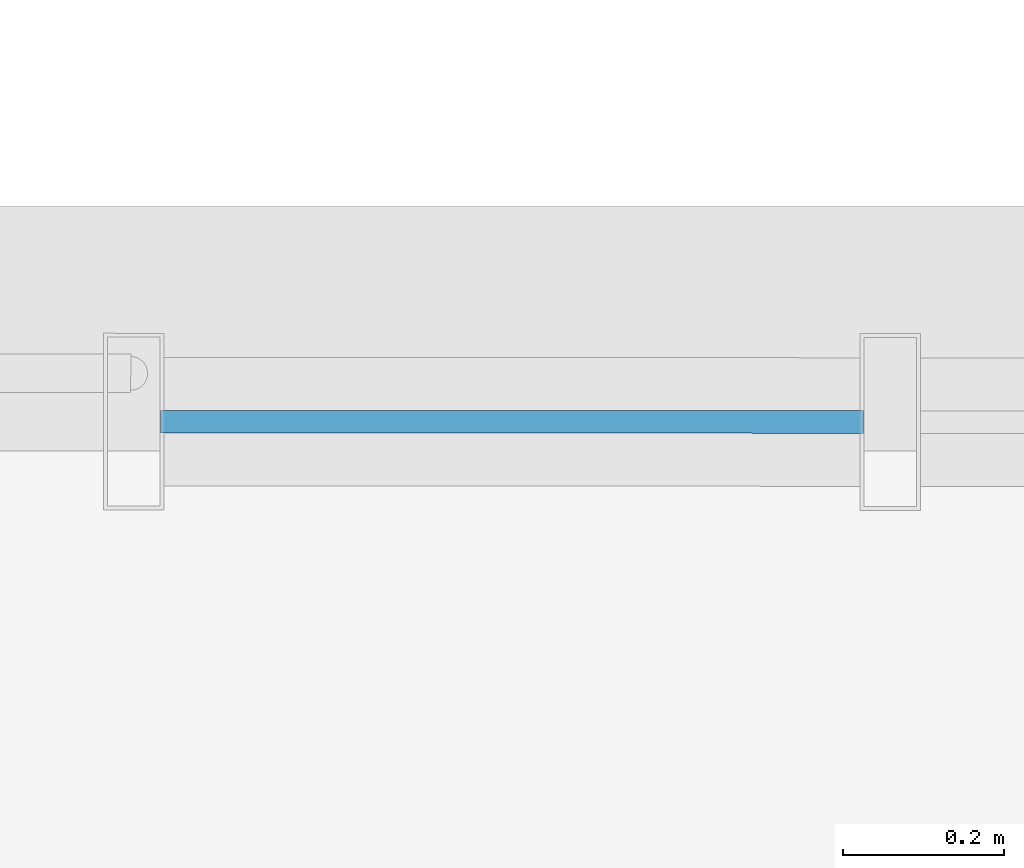
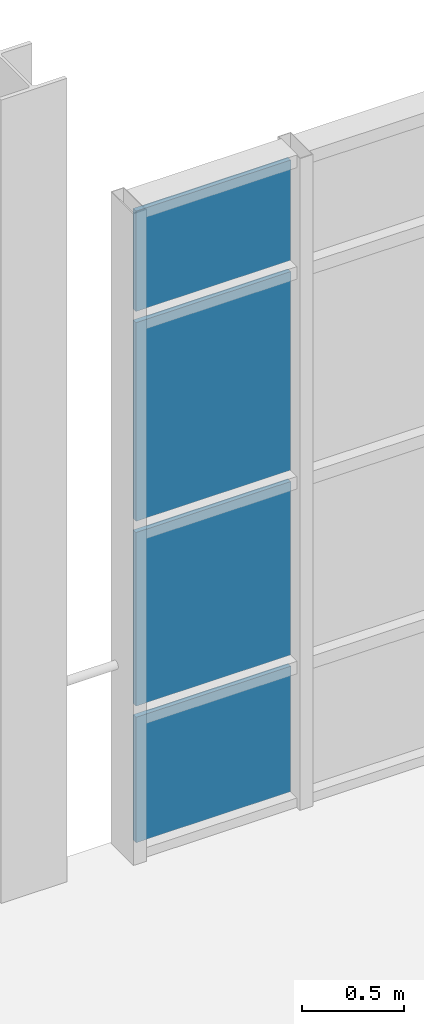
# One storey, part 87 of 122: 4 plates, 1 element without a shape of its own.
"""IFC4 building model written with IfcOpenShell, lengths in metres."""

import ifcopenshell
import ifcopenshell.guid

model = None  # the IFC model being written
_history = None  # IfcOwnerHistory: only IFC2X3 demands one
_inside = {}  # id of a spatial element -> (the spatial element, [elements in it])
_under = {}  # id of a project, library or spatial element -> (it, [spatial elements below it])
_declared = {}  # id of a project -> (the project, [libraries it declares])
_typed = {}  # id of a type object -> (the type object, [elements of that type])
_made_of = {}  # id of a material, layer set ... -> (it, [elements and type objects made of it])


def new_model(schema):
    """Start an empty IFC model of exactly this schema.

    Asked for "IFC4X3", IfcOpenShell would pick the latest addendum, in which some entities
    have other attributes; the version numbers below select the first issue.
    IFC2X3 requires an IfcOwnerHistory on every rooted entity: one is made here for all.
    """
    global model, _history
    if schema == "IFC4X3":
        model = ifcopenshell.file(schema_version=(4, 3, 0, 0))
    else:
        model = ifcopenshell.file(schema=schema)
    _inside.clear()
    _under.clear()
    _declared.clear()
    _typed.clear()
    _made_of.clear()
    _history = None
    if model.schema == "IFC2X3":
        org = make("IfcOrganization", Name="unknown")
        user = make(
            "IfcPersonAndOrganization",
            ThePerson=make("IfcPerson", FamilyName="unknown"),
            TheOrganization=org,
        )
        app = make(
            "IfcApplication",
            ApplicationDeveloper=org,
            Version="unknown",
            ApplicationFullName="unknown",
            ApplicationIdentifier="unknown",
        )
        _history = make(
            "IfcOwnerHistory",
            OwningUser=user,
            OwningApplication=app,
            ChangeAction="ADDED",
            CreationDate=0,
        )
    return model


def make(cls, **values):
    """One entity of the class cls with the attributes given. An attribute that is None is left unset."""
    return model.create_entity(
        cls, **{name: value for name, value in values.items() if value is not None}
    )


def rooted(cls, **values):
    """An entity with a GlobalId (a new one), such as an element, a storey or a relation."""
    return make(cls, GlobalId=ifcopenshell.guid.new(), OwnerHistory=_history, **values)


def si_unit(unit_type, name, prefix=None):
    """IfcSIUnit, for example si_unit("LENGTHUNIT", "METRE", prefix="MILLI")."""
    return make("IfcSIUnit", UnitType=unit_type, Prefix=prefix, Name=name)


def assignment(units):
    """IfcUnitAssignment: the units of a project."""
    return None if units is None else make("IfcUnitAssignment", Units=units)


def point(xyz):
    """IfcCartesianPoint."""
    return None if xyz is None else make("IfcCartesianPoint", Coordinates=xyz)


def direction(xyz):
    """IfcDirection."""
    return None if xyz is None else make("IfcDirection", DirectionRatios=xyz)


def frame(location, z_axis=None, x_axis=None):
    """IfcAxis2Placement3D, a coordinate frame: its origin and axes. An axis left out is left unset."""
    return make(
        "IfcAxis2Placement3D",
        Location=point(location),
        Axis=direction(z_axis),
        RefDirection=direction(x_axis),
    )


def frame_2d(location, x_axis=None):
    """IfcAxis2Placement2D, a coordinate frame in the plane: its origin and x axis."""
    return make(
        "IfcAxis2Placement2D", Location=point(location), RefDirection=direction(x_axis)
    )


def origin():
    """The frame at (0, 0, 0) with its axes left unset."""
    return frame((0.0, 0.0, 0.0))


def origin_2d():
    """The frame at (0, 0) in the plane with its x axis left unset."""
    return frame_2d((0.0, 0.0))


def place(relative_to, where):
    """IfcLocalPlacement: puts the frame where relative to a parent placement (None: the world)."""
    return make(
        "IfcLocalPlacement", PlacementRelTo=relative_to, RelativePlacement=where
    )


def context(
    kind, dimensions, precision=None, world=None, true_north=None, identifier=None
):
    """IfcGeometricRepresentationContext, for example the 3D "Model" context."""
    return make(
        "IfcGeometricRepresentationContext",
        ContextIdentifier=identifier,
        ContextType=kind,
        CoordinateSpaceDimension=dimensions,
        Precision=precision,
        WorldCoordinateSystem=world,
        TrueNorth=true_north,
    )


def subcontext(parent, identifier, kind, view, scale=None):
    """IfcGeometricRepresentationSubContext, for example "Body" below "Model"."""
    return make(
        "IfcGeometricRepresentationSubContext",
        ContextIdentifier=identifier,
        ContextType=kind,
        ParentContext=parent,
        TargetScale=scale,
        TargetView=view,
    )


def project(units=None, contexts=None):
    """IfcProject with its units and contexts."""
    return rooted(
        "IfcProject",
        Name="project",
        RepresentationContexts=contexts,
        UnitsInContext=assignment(units),
    )


def spatial(cls, under=None, at=None, **own):
    """A site, building, storey or space (cls), placed at a placement, below another one or the project."""
    s = rooted(cls, ObjectPlacement=at, **own)
    if under is not None:
        _under.setdefault(under.id(), (under, []))[1].append(s)
    return s


def profile(cls, at=None, kind="AREA", **sizes):
    """A parametric profile (cls). Its sizes go by their IFC names, for example OverallWidth=200.0."""
    return make(cls, ProfileType=kind, Position=at, **sizes)


def rectangle(**sizes):
    """IfcRectangleProfileDef."""
    return profile("IfcRectangleProfileDef", **sizes)


def extrude(swept, where, along, depth):
    """IfcExtrudedAreaSolid: the profile swept, set in the frame where, extruded along a direction by depth."""
    return make(
        "IfcExtrudedAreaSolid",
        SweptArea=swept,
        Position=where,
        ExtrudedDirection=direction(along),
        Depth=depth,
    )


def shape(context_of_items, identifier, shape_type, items):
    """IfcShapeRepresentation: the items that make up one representation, for example the "Body"."""
    return make(
        "IfcShapeRepresentation",
        ContextOfItems=context_of_items,
        RepresentationIdentifier=identifier,
        RepresentationType=shape_type,
        Items=items,
    )


def material(Name=None, Category=None):
    """IfcMaterial."""
    return make("IfcMaterial", Name=Name, Category=Category)


def layer(
    of_material, thickness, ventilated=None, Name=None, Category=None, Priority=None
):
    """IfcMaterialLayer: one layer of a wall or slab, of a material (None: an air gap)."""
    return make(
        "IfcMaterialLayer",
        Material=of_material,
        LayerThickness=thickness,
        IsVentilated=ventilated,
        Name=Name,
        Category=Category,
        Priority=Priority,
    )


def layer_set(layers, Name=None):
    """IfcMaterialLayerSet."""
    return make("IfcMaterialLayerSet", MaterialLayers=layers, LayerSetName=Name)


def made_of(thing, what):
    """Note that an element or type object is made of a material, layer set ...; save() writes the relation."""
    if what is not None:
        _made_of.setdefault(what.id(), (what, []))[1].append(thing)
    return thing


def type_object(cls, material=None, **own):
    """A type object (cls), such as IfcWallType, which elements share."""
    return made_of(rooted(cls, **own), material)


def element(
    cls,
    number,
    at=None,
    inside=None,
    cuts=None,
    type_object=None,
    material=None,
    context=None,
    identifier="Body",
    shape_type=None,
    held_by="IfcProductDefinitionShape",
    body=None,
    shapes=None,
    **own,
):
    """One element of the class cls, such as IfcWall. Its Tag is "e" and its number.

    at: its placement. inside: the storey or other place that contains it. cuts: it is an
    opening in that element (IfcRelVoidsElement). A single representation is given by context,
    identifier, shape_type and body (its items); several are given by shapes. held_by: the class
    of the entity that holds the representations. save() writes the other relations.
    """
    e = rooted(cls, Tag="e%d" % number, ObjectPlacement=at, **own)
    if body is not None:
        shapes = [shape(context, identifier, shape_type, body)]
    if shapes is not None:
        e.Representation = make(held_by, Representations=shapes)
    if inside is not None:
        _inside.setdefault(inside.id(), (inside, []))[1].append(e)
    if cuts is not None:
        rooted(
            "IfcRelVoidsElement", RelatingBuildingElement=cuts, RelatedOpeningElement=e
        )
    if type_object is not None:
        _typed.setdefault(type_object.id(), (type_object, []))[1].append(e)
    return made_of(e, material)


def aggregate(whole, parts):
    """IfcRelAggregates: a whole, such as a stair, and the parts it consists of."""
    return rooted("IfcRelAggregates", RelatingObject=whole, RelatedObjects=parts)


def save(model, path):
    """Write the relations noted so far, then the file.

    IfcRelAggregates (storeys below a building ...), IfcRelContainedInSpatialStructure (elements
    in a storey), IfcRelDefinesByType, IfcRelAssociatesMaterial and IfcRelDeclares: one each for
    every whole, place, type object, material and project.
    """
    for whole, parts in _under.values():
        aggregate(whole, parts)
    for where, things in _inside.values():
        rooted(
            "IfcRelContainedInSpatialStructure",
            RelatedElements=things,
            RelatingStructure=where,
        )
    for kind, things in _typed.values():
        rooted("IfcRelDefinesByType", RelatedObjects=things, RelatingType=kind)
    for what, things in _made_of.values():
        rooted("IfcRelAssociatesMaterial", RelatedObjects=things, RelatingMaterial=what)
    for by, libraries in _declared.values():
        rooted("IfcRelDeclares", RelatingContext=by, RelatedDefinitions=libraries)
    model.write(path)


model = new_model("IFC4")

# Units and contexts
model_context = context("Model", 3, precision=1e-05, world=origin(), true_north=direction((0.0, 1.0)))
body_context = subcontext(model_context, "Body", "Model", "MODEL_VIEW")
ifc_project = project(units=[si_unit("LENGTHUNIT", "METRE"), si_unit("AREAUNIT", "SQUARE_METRE"), si_unit("VOLUMEUNIT", "CUBIC_METRE"), si_unit("PLANEANGLEUNIT", "RADIAN"), si_unit("MASSUNIT", "GRAM", prefix="KILO"), si_unit("THERMODYNAMICTEMPERATUREUNIT", "KELVIN"), si_unit("POWERUNIT", "WATT")], contexts=[model_context])

# Site, building, storey
site_placement = place(None, origin())
site = spatial("IfcSite", under=ifc_project, at=site_placement, CompositionType="ELEMENT")
building_placement = place(site_placement, origin())
building = spatial("IfcBuilding", under=site, at=building_placement, Name="Zelmaris Science Centre", CompositionType="ELEMENT")
storey_placement = place(building_placement, frame((0.0, 0.0, 10.800048828125)))
storey = spatial("IfcBuildingStorey", under=building, at=storey_placement, Name="L02", CompositionType="ELEMENT", Elevation=10.800048828125)

# Curtain wall, plates
ifc_material_1 = material(Name="Anodised architectural aluminium 6063-T6", Category="aluminium")
ifc_layer_1 = layer(ifc_material_1, 0.199951171875, Name="Anodised architectural aluminium 6063-T6")
ifc_layer_set_1 = layer_set([ifc_layer_1], Name="Anodised architectural aluminium 6063-T6")
curtain_wall_type = type_object("IfcCurtainWallType", Name="Curtain Wall CW-02", PredefinedType="USERDEFINED", material=ifc_layer_set_1)
curtain_wall_placement = place(storey_placement, origin())
curtain_wall = element("IfcCurtainWall", 1, at=curtain_wall_placement, inside=storey, type_object=curtain_wall_type, Name="L02 Unitised curtain wall 222", ObjectType="GLAZED CURTAIN WALL", PredefinedType="USERDEFINED")
ifc_material_2 = material(Name="Laminated hurricane-rated low-E insulated glazing", Category="glass")
ifc_layer_2 = layer(ifc_material_2, 0.028076171875, Name="Laminated hurricane-rated low-E insulated glazing")
ifc_layer_set_2 = layer_set([ifc_layer_2], Name="Laminated hurricane-rated low-E insulated glazing")
plate_type = type_object("IfcPlateType", Name="Curtain Glazing Panel CWP-2 28mm", PredefinedType="CURTAIN_PANEL", material=ifc_layer_set_2)
plate_1_placement = place(storey_placement, frame((136.044189453125, 55.8837890625, 0.052001953125), z_axis=(0.0, 0.0, 1.0), x_axis=(0.999999881328, -0.000487179425, 0.0)))
plate_1 = element("IfcPlate", 2, at=plate_1_placement, type_object=plate_type, Name="CW-02 panel 1.1", PredefinedType="CURTAIN_PANEL", context=body_context, shape_type="SweptSolid", body=[
    extrude(rectangle(XDim=0.87451171875, YDim=0.028076171875, at=origin_2d()), origin(), (0.0, 0.0, 1.0), 0.74951171875),
])
plate_2_placement = place(storey_placement, frame((136.044189453125, 55.8837890625, 0.868408203125), z_axis=(0.0, 0.0, 1.0), x_axis=(0.999999881328, -0.000487179425, 0.0)))
plate_2 = element("IfcPlate", 3, at=plate_2_placement, type_object=plate_type, Name="CW-02 panel 1.2", PredefinedType="CURTAIN_PANEL", context=body_context, shape_type="SweptSolid", body=[
    extrude(rectangle(XDim=0.87451171875, YDim=0.028076171875, at=origin_2d()), origin(), (0.0, 0.0, 1.0), 1.037109375),
])
plate_3_placement = place(storey_placement, frame((136.044189453125, 55.8837890625, 1.972412109375), z_axis=(0.0, 0.0, 1.0), x_axis=(0.999999881328, -0.000487179425, 0.0)))
plate_3 = element("IfcPlate", 4, at=plate_3_placement, type_object=plate_type, Name="CW-02 panel 1.3", PredefinedType="CURTAIN_PANEL", context=body_context, shape_type="SweptSolid", body=[
    extrude(rectangle(XDim=0.87451171875, YDim=0.028076171875, at=origin_2d()), origin(), (0.0, 0.0, 1.0), 1.18701171875),
])
plate_4_placement = place(storey_placement, frame((136.044189453125, 55.8837890625, 3.226318359375), z_axis=(0.0, 0.0, 1.0), x_axis=(0.999999881328, -0.000487179425, 0.0)))
plate_4 = element("IfcPlate", 5, at=plate_4_placement, type_object=plate_type, Name="CW-02 panel 1.4", PredefinedType="CURTAIN_PANEL", context=body_context, shape_type="SweptSolid", body=[
    extrude(rectangle(XDim=0.87451171875, YDim=0.028076171875, at=origin_2d()), origin(), (0.0, 0.0, 1.0), 0.599609375),
])
aggregate(curtain_wall, [plate_1, plate_2, plate_3, plate_4])

save(model, "model.ifc")
